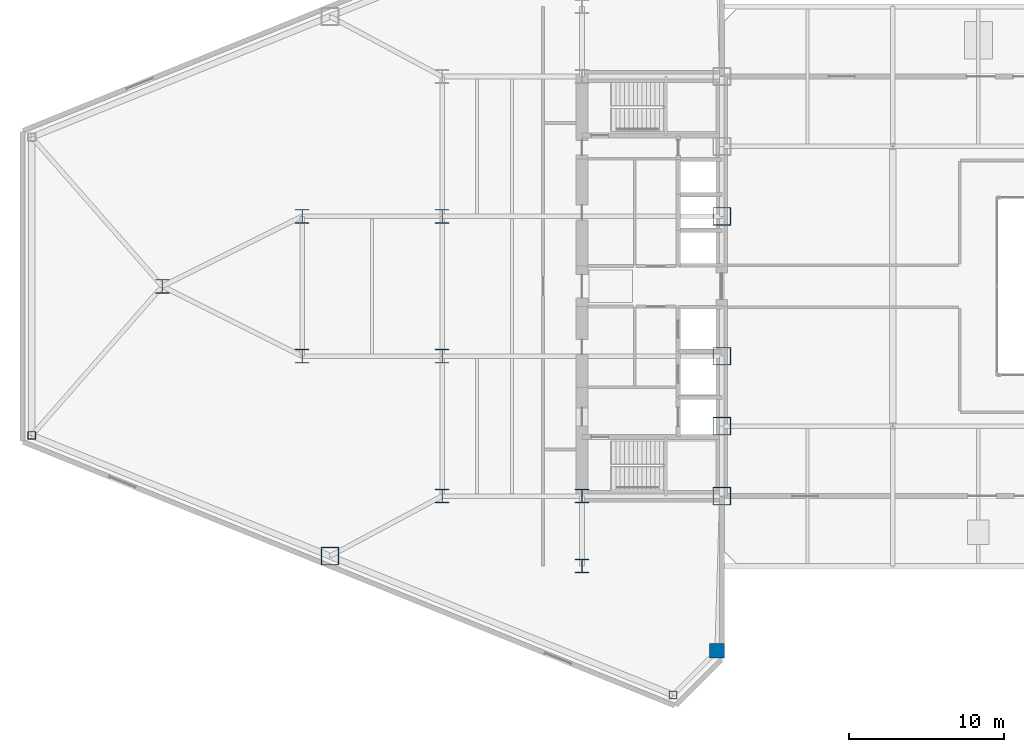
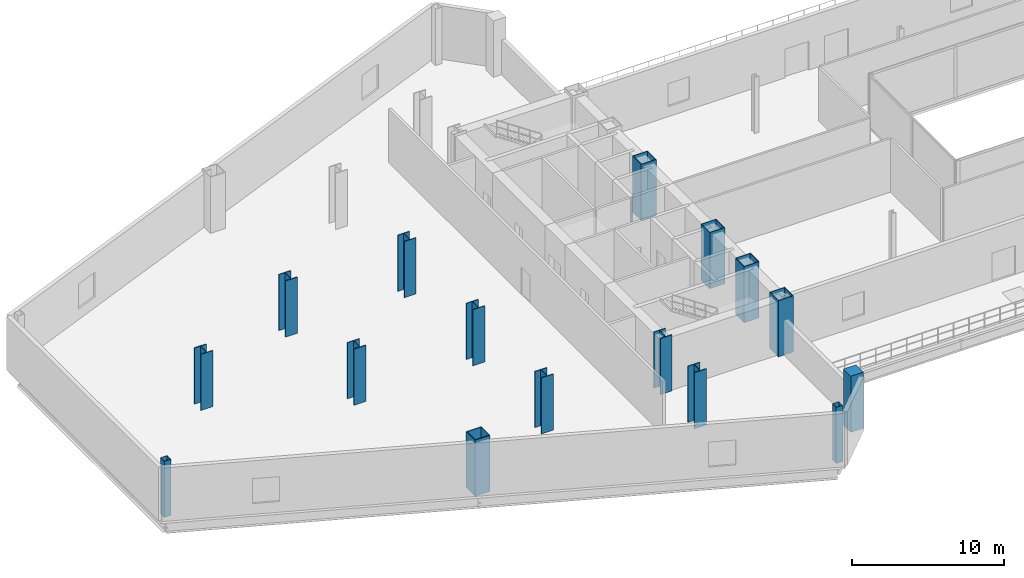
# One storey, part 1 of 23: 16 columns.
"""IFC4 building model written with IfcOpenShell, lengths in metres."""

from ifc_helpers import new_model, si_unit, direction, frame, origin, origin_2d, place, context, subcontext, project, spatial, rectangle, hollow_rectangle, i_section, extrude, source, transform, mapped, material, material_profile, profile_set, type_object, type_shapes, element, save


model = new_model("IFC4")

# Units and contexts
model_context = context("Model", 3, precision=1e-05, world=origin(), true_north=direction((0.0, 1.0)))
body_context = subcontext(model_context, "Body", "Model", "MODEL_VIEW")
ifc_project = project(units=[si_unit("LENGTHUNIT", "METRE"), si_unit("AREAUNIT", "SQUARE_METRE"), si_unit("VOLUMEUNIT", "CUBIC_METRE"), si_unit("PLANEANGLEUNIT", "RADIAN"), si_unit("MASSUNIT", "GRAM", prefix="KILO")], contexts=[model_context])

# Site, building, storey
site_placement = place(None, origin())
site = spatial("IfcSite", under=ifc_project, at=site_placement, CompositionType="ELEMENT")
building_placement = place(site_placement, origin())
building = spatial("IfcBuilding", under=site, at=building_placement, Name="Seokmaru Belvedere", CompositionType="ELEMENT")
storey_placement = place(building_placement, frame((0.0, 0.0, 14.39990234375)))
storey = spatial("IfcBuildingStorey", under=building, at=storey_placement, Name="L03", CompositionType="ELEMENT", Elevation=14.39990234375)

# Columns
ifc_material_1 = material(Name="Steel HSA650 (650 MPa)", Category="steel")
ifc_material_profile_1 = material_profile(ifc_material_1, hollow_rectangle(XDim=1.14990234375, YDim=1.14990234375, WallThickness=0.048095703125, at=origin_2d()), Name="BOX-1150x1150x48")
ifc_profile_set_1 = profile_set([ifc_material_profile_1], Name="Steel HSA650 (650 MPa)")
column_type_1 = type_object("IfcColumnType", Name="Portal Spine Column BOX-1150", PredefinedType="COLUMN", material=ifc_profile_set_1)
shared_shape_1 = source(origin(), body_context, "Body", "SweptSolid", [
    extrude(hollow_rectangle(XDim=1.14990234375, YDim=1.14990234375, WallThickness=0.048095703125, at=origin_2d()), origin(), (0.0, 0.0, 1.0), 4.5),
])
type_shapes(column_type_1, [shared_shape_1])
for number, where, z_axis, x_axis, name in (
    (1, (-27.5, -13.5, 0.0), (0.0, 0.0, 1.0), (1.0, 0.0, 0.0), "L03 Column WS1"),
    (2, (-27.5, -9.0, 0.0), (0.0, 0.0, 1.0), (1.0, 0.0, 0.0), "L03 Column WS2"),
    (3, (-27.5, -4.5, 0.0), (0.0, 0.0, 1.0), (1.0, 0.0, 0.0), "L03 Column WS3"),
    (4, (-27.5, 4.5, 0.0), (0.0, 0.0, 1.0), (1.0, 0.0, 0.0), "L03 Column WS4"),
    (5, (-52.715576171875, -17.360595703125, 0.0), (0.0, 0.0, 1.0), (1.0, 0.0, 0.0), "L03 Column WFLK_S2"),
):
    element("IfcColumn", number, at=place(storey_placement, frame(where, z_axis=z_axis, x_axis=x_axis)), inside=storey, type_object=column_type_1, Name=name, PredefinedType="COLUMN", context=body_context, shape_type="MappedRepresentation", body=[
        mapped(shared_shape_1, transform((0.0, 0.0, 0.0), scale=1.0)),
    ])
ifc_material_profile_2 = material_profile(ifc_material_1, i_section(OverallWidth=0.89990234375, OverallDepth=0.89990234375, WebThickness=0.035888671875, FlangeThickness=0.054931640625, at=origin_2d()), Name="H-900x900x36x55")
ifc_profile_set_2 = profile_set([ifc_material_profile_2], Name="Steel HSA650 (650 MPa)")
column_type_2 = type_object("IfcColumnType", Name="Lower Interior Column H-900", PredefinedType="COLUMN", material=ifc_profile_set_2)
shared_shape_2 = source(origin(), body_context, "Body", "SweptSolid", [
    extrude(i_section(OverallWidth=0.89990234375, OverallDepth=0.89990234375, WebThickness=0.035888671875, FlangeThickness=0.054931640625, at=origin_2d()), origin(), (0.0, 0.0, 1.0), 4.5),
])
type_shapes(column_type_2, [shared_shape_2])
for number, where, z_axis, x_axis, name in (
    (6, (-36.5, -18.0, 0.0), (0.0, 0.0, 1.0), (1.0, 0.0, 0.0), "L03 Column WC1"),
    (7, (-36.5, -13.5, 0.0), (0.0, 0.0, 1.0), (1.0, 0.0, 0.0), "L03 Column WC2"),
    (8, (-45.5, -13.5, 0.0), (0.0, 0.0, 1.0), (1.0, 0.0, 0.0), "L03 Column WG5_1"),
    (9, (-45.5, -4.5, 0.0), (0.0, 0.0, 1.0), (1.0, 0.0, 0.0), "L03 Column WG5_2"),
    (10, (-45.5, 4.5, 0.0), (0.0, 0.0, 1.0), (1.0, 0.0, 0.0), "L03 Column WG5_3"),
    (11, (-54.5, -4.5, 0.0), (0.0, 0.0, 1.0), (1.0, 0.0, 0.0), "L03 Column WG4P_1"),
    (12, (-54.5, 4.5, 0.0), (0.0, 0.0, 1.0), (1.0, 0.0, 0.0), "L03 Column WG4P_2"),
    (13, (-63.5, 0.0, 0.0), (0.0, 0.0, 1.0), (1.0, 0.0, 0.0), "L03 Column WG3P_1"),
):
    element("IfcColumn", number, at=place(storey_placement, frame(where, z_axis=z_axis, x_axis=x_axis)), inside=storey, type_object=column_type_2, Name=name, PredefinedType="COLUMN", context=body_context, shape_type="MappedRepresentation", body=[
        mapped(shared_shape_2, transform((0.0, 0.0, 0.0), scale=1.0)),
    ])
ifc_material_2 = material(Name="Steel SM355 (355 MPa)", Category="steel")
ifc_material_profile_3 = material_profile(ifc_material_2, hollow_rectangle(XDim=0.5, YDim=0.5, WallThickness=0.02001953125, at=origin_2d()), Name="HSS-500x500x20")
ifc_profile_set_3 = profile_set([ifc_material_profile_3], Name="Steel SM355 (355 MPa)")
column_type_3 = type_object("IfcColumnType", Name="Perimeter Facet Column HSS-500", PredefinedType="COLUMN", material=ifc_profile_set_3)
shared_shape_3 = source(origin(), body_context, "Body", "SweptSolid", [
    extrude(hollow_rectangle(XDim=0.5, YDim=0.5, WallThickness=0.02001953125, at=origin_2d()), origin(), (0.0, 0.0, 1.0), 4.5),
])
type_shapes(column_type_3, [shared_shape_3])
for number, where, z_axis, x_axis, name in (
    (14, (-71.89990234375, -9.595703125, 0.0), (0.0, 0.0, 1.0), (1.0, 0.0, 0.0), "L03 Column WF5"),
    (15, (-30.643310546875, -26.294677734375, 0.0), (0.0, 0.0, 1.0), (1.0, 0.0, 0.0), "L03 Column WF6"),
):
    element("IfcColumn", number, at=place(storey_placement, frame(where, z_axis=z_axis, x_axis=x_axis)), inside=storey, type_object=column_type_3, Name=name, PredefinedType="COLUMN", context=body_context, shape_type="MappedRepresentation", body=[
        mapped(shared_shape_3, transform((0.0, 0.0, 0.0), scale=1.0)),
    ])
ifc_material_3 = material(Name="Concrete C50 (50 MPa)", Category="concrete")
ifc_material_profile_4 = material_profile(ifc_material_3, rectangle(XDim=0.9599609375, YDim=0.9599609375, at=origin_2d()), Name="RC-960x960")
ifc_profile_set_4 = profile_set([ifc_material_profile_4], Name="Concrete C50 (50 MPa)")
column_type_4 = type_object("IfcColumnType", Name="Upper Podium Terrace Column RC-960", PredefinedType="COLUMN", material=ifc_profile_set_4)
shared_shape_4 = source(origin(), body_context, "Body", "SweptSolid", [
    extrude(rectangle(XDim=0.9599609375, YDim=0.9599609375, at=origin_2d()), origin(), (0.0, 0.0, 1.0), 4.5),
])
type_shapes(column_type_4, [shared_shape_4])
column_placement = place(storey_placement, frame((-27.800048828125, -23.451416015625, 0.0), z_axis=(0.0, 0.0, 1.0), x_axis=(1.0, 0.0, 0.0)))
element("IfcColumn", 16, at=column_placement, inside=storey, type_object=column_type_4, Name="L03 Column WPM_S", PredefinedType="COLUMN", context=body_context, shape_type="MappedRepresentation", body=[
    mapped(shared_shape_4, transform((0.0, 0.0, 0.0), scale=1.0)),
])

save(model, "model.ifc")
